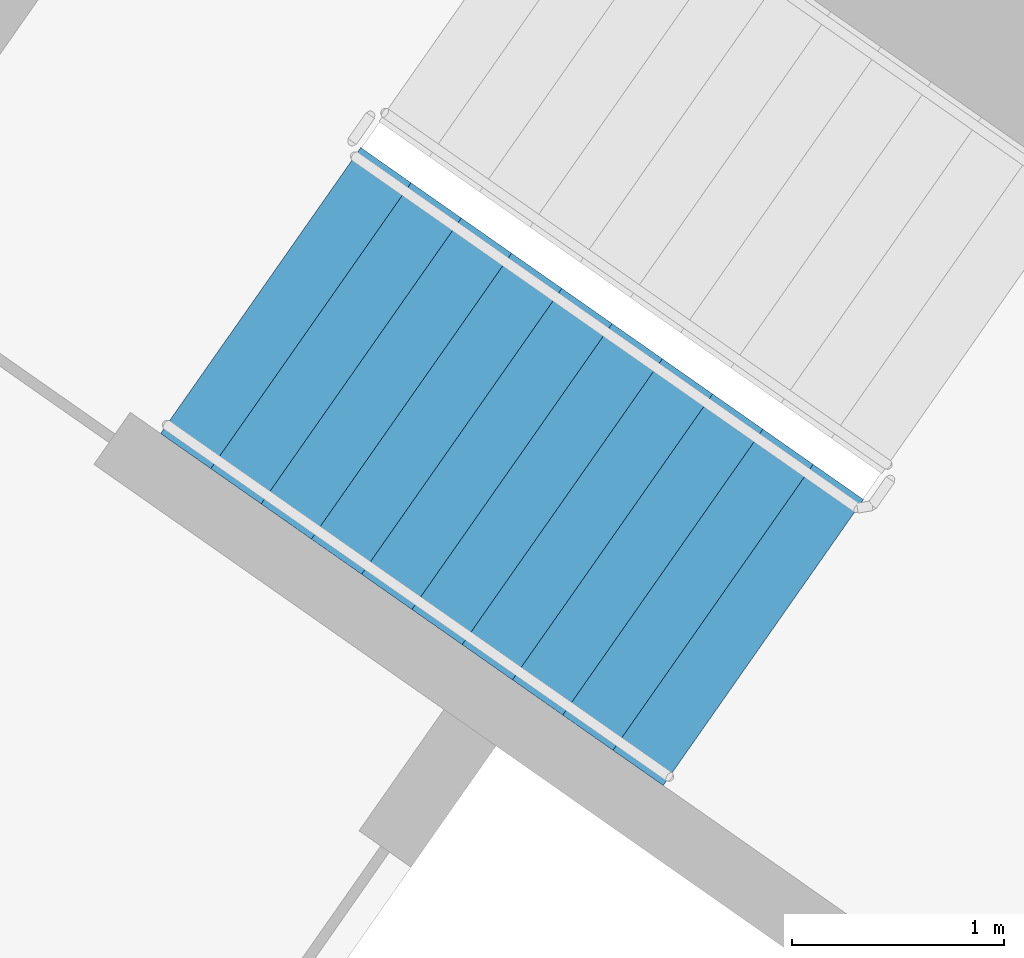
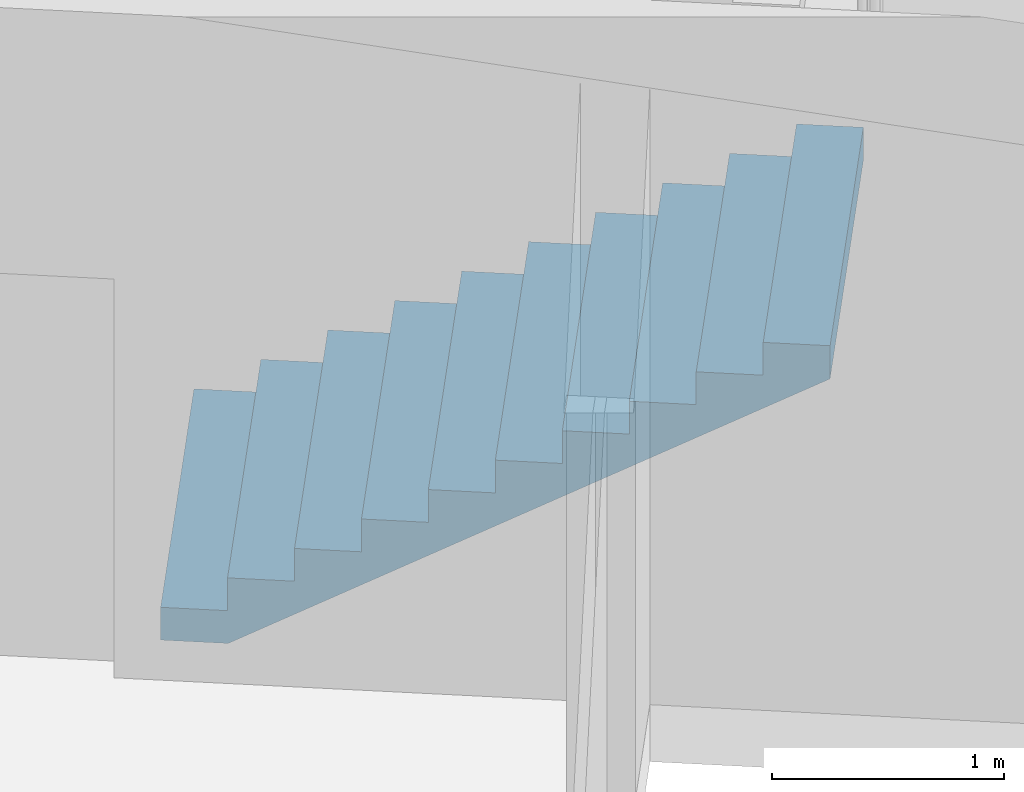
# One storey, part 11 of 28: 1 stair flight, 1 element without a shape of its own.
"""IFC4 building model written with IfcOpenShell, lengths in metres."""

import ifcopenshell
import ifcopenshell.guid

model = None  # the IFC model being written
_history = None  # IfcOwnerHistory: only IFC2X3 demands one
_inside = {}  # id of a spatial element -> (the spatial element, [elements in it])
_under = {}  # id of a project, library or spatial element -> (it, [spatial elements below it])
_declared = {}  # id of a project -> (the project, [libraries it declares])
_typed = {}  # id of a type object -> (the type object, [elements of that type])
_made_of = {}  # id of a material, layer set ... -> (it, [elements and type objects made of it])


def new_model(schema):
    """Start an empty IFC model of exactly this schema.

    Asked for "IFC4X3", IfcOpenShell would pick the latest addendum, in which some entities
    have other attributes; the version numbers below select the first issue.
    IFC2X3 requires an IfcOwnerHistory on every rooted entity: one is made here for all.
    """
    global model, _history
    if schema == "IFC4X3":
        model = ifcopenshell.file(schema_version=(4, 3, 0, 0))
    else:
        model = ifcopenshell.file(schema=schema)
    _inside.clear()
    _under.clear()
    _declared.clear()
    _typed.clear()
    _made_of.clear()
    _history = None
    if model.schema == "IFC2X3":
        org = make("IfcOrganization", Name="unknown")
        user = make(
            "IfcPersonAndOrganization",
            ThePerson=make("IfcPerson", FamilyName="unknown"),
            TheOrganization=org,
        )
        app = make(
            "IfcApplication",
            ApplicationDeveloper=org,
            Version="unknown",
            ApplicationFullName="unknown",
            ApplicationIdentifier="unknown",
        )
        _history = make(
            "IfcOwnerHistory",
            OwningUser=user,
            OwningApplication=app,
            ChangeAction="ADDED",
            CreationDate=0,
        )
    return model


def make(cls, **values):
    """One entity of the class cls with the attributes given. An attribute that is None is left unset."""
    return model.create_entity(
        cls, **{name: value for name, value in values.items() if value is not None}
    )


def rooted(cls, **values):
    """An entity with a GlobalId (a new one), such as an element, a storey or a relation."""
    return make(cls, GlobalId=ifcopenshell.guid.new(), OwnerHistory=_history, **values)


def si_unit(unit_type, name, prefix=None):
    """IfcSIUnit, for example si_unit("LENGTHUNIT", "METRE", prefix="MILLI")."""
    return make("IfcSIUnit", UnitType=unit_type, Prefix=prefix, Name=name)


def assignment(units):
    """IfcUnitAssignment: the units of a project."""
    return None if units is None else make("IfcUnitAssignment", Units=units)


def point(xyz):
    """IfcCartesianPoint."""
    return None if xyz is None else make("IfcCartesianPoint", Coordinates=xyz)


def direction(xyz):
    """IfcDirection."""
    return None if xyz is None else make("IfcDirection", DirectionRatios=xyz)


def frame(location, z_axis=None, x_axis=None):
    """IfcAxis2Placement3D, a coordinate frame: its origin and axes. An axis left out is left unset."""
    return make(
        "IfcAxis2Placement3D",
        Location=point(location),
        Axis=direction(z_axis),
        RefDirection=direction(x_axis),
    )


def origin():
    """The frame at (0, 0, 0) with its axes left unset."""
    return frame((0.0, 0.0, 0.0))


def place(relative_to, where):
    """IfcLocalPlacement: puts the frame where relative to a parent placement (None: the world)."""
    return make(
        "IfcLocalPlacement", PlacementRelTo=relative_to, RelativePlacement=where
    )


def context(
    kind, dimensions, precision=None, world=None, true_north=None, identifier=None
):
    """IfcGeometricRepresentationContext, for example the 3D "Model" context."""
    return make(
        "IfcGeometricRepresentationContext",
        ContextIdentifier=identifier,
        ContextType=kind,
        CoordinateSpaceDimension=dimensions,
        Precision=precision,
        WorldCoordinateSystem=world,
        TrueNorth=true_north,
    )


def subcontext(parent, identifier, kind, view, scale=None):
    """IfcGeometricRepresentationSubContext, for example "Body" below "Model"."""
    return make(
        "IfcGeometricRepresentationSubContext",
        ContextIdentifier=identifier,
        ContextType=kind,
        ParentContext=parent,
        TargetScale=scale,
        TargetView=view,
    )


def project(units=None, contexts=None):
    """IfcProject with its units and contexts."""
    return rooted(
        "IfcProject",
        Name="project",
        RepresentationContexts=contexts,
        UnitsInContext=assignment(units),
    )


def spatial(cls, under=None, at=None, **own):
    """A site, building, storey or space (cls), placed at a placement, below another one or the project."""
    s = rooted(cls, ObjectPlacement=at, **own)
    if under is not None:
        _under.setdefault(under.id(), (under, []))[1].append(s)
    return s


def faces_of(points, faces, orient=None, outer=None):
    """IfcFace entities. A face is a list of loops; a loop is a list of indices into points, from 0.

    orient and outer hold one flag for each loop. By default every Orientation is true, the
    first loop of a face is its IfcFaceOuterBound and the others are IfcFaceBound.
    """
    made = []
    for i, loops in enumerate(faces):
        bounds = []
        for j, loop in enumerate(loops):
            is_outer = j == 0 if outer is None else outer[i][j]
            bounds.append(
                make(
                    "IfcFaceOuterBound" if is_outer else "IfcFaceBound",
                    Bound=make("IfcPolyLoop", Polygon=[points[k] for k in loop]),
                    Orientation=True if orient is None else orient[i][j],
                )
            )
        made.append(make("IfcFace", Bounds=bounds))
    return made


def faceted_brep(points, faces, orient=None, outer=None, voids=None):
    """IfcFacetedBrep: a solid bounded by flat faces; with voids (closed shells), ...WithVoids."""
    shared = [point(p) for p in points]
    hull = make("IfcClosedShell", CfsFaces=faces_of(shared, faces, orient, outer))
    if voids is None:
        return make("IfcFacetedBrep", Outer=hull)
    return make(
        "IfcFacetedBrepWithVoids",
        Outer=hull,
        Voids=[
            make(cls, CfsFaces=faces_of(shared, fs, o, b)) for cls, fs, o, b in voids
        ],
    )


def shape(context_of_items, identifier, shape_type, items):
    """IfcShapeRepresentation: the items that make up one representation, for example the "Body"."""
    return make(
        "IfcShapeRepresentation",
        ContextOfItems=context_of_items,
        RepresentationIdentifier=identifier,
        RepresentationType=shape_type,
        Items=items,
    )


def material(Name=None, Category=None):
    """IfcMaterial."""
    return make("IfcMaterial", Name=Name, Category=Category)


def made_of(thing, what):
    """Note that an element or type object is made of a material, layer set ...; save() writes the relation."""
    if what is not None:
        _made_of.setdefault(what.id(), (what, []))[1].append(thing)
    return thing


def type_object(cls, material=None, **own):
    """A type object (cls), such as IfcWallType, which elements share."""
    return made_of(rooted(cls, **own), material)


def element(
    cls,
    number,
    at=None,
    inside=None,
    cuts=None,
    type_object=None,
    material=None,
    context=None,
    identifier="Body",
    shape_type=None,
    held_by="IfcProductDefinitionShape",
    body=None,
    shapes=None,
    **own,
):
    """One element of the class cls, such as IfcWall. Its Tag is "e" and its number.

    at: its placement. inside: the storey or other place that contains it. cuts: it is an
    opening in that element (IfcRelVoidsElement). A single representation is given by context,
    identifier, shape_type and body (its items); several are given by shapes. held_by: the class
    of the entity that holds the representations. save() writes the other relations.
    """
    e = rooted(cls, Tag="e%d" % number, ObjectPlacement=at, **own)
    if body is not None:
        shapes = [shape(context, identifier, shape_type, body)]
    if shapes is not None:
        e.Representation = make(held_by, Representations=shapes)
    if inside is not None:
        _inside.setdefault(inside.id(), (inside, []))[1].append(e)
    if cuts is not None:
        rooted(
            "IfcRelVoidsElement", RelatingBuildingElement=cuts, RelatedOpeningElement=e
        )
    if type_object is not None:
        _typed.setdefault(type_object.id(), (type_object, []))[1].append(e)
    return made_of(e, material)


def aggregate(whole, parts):
    """IfcRelAggregates: a whole, such as a stair, and the parts it consists of."""
    return rooted("IfcRelAggregates", RelatingObject=whole, RelatedObjects=parts)


def save(model, path):
    """Write the relations noted so far, then the file.

    IfcRelAggregates (storeys below a building ...), IfcRelContainedInSpatialStructure (elements
    in a storey), IfcRelDefinesByType, IfcRelAssociatesMaterial and IfcRelDeclares: one each for
    every whole, place, type object, material and project.
    """
    for whole, parts in _under.values():
        aggregate(whole, parts)
    for where, things in _inside.values():
        rooted(
            "IfcRelContainedInSpatialStructure",
            RelatedElements=things,
            RelatingStructure=where,
        )
    for kind, things in _typed.values():
        rooted("IfcRelDefinesByType", RelatedObjects=things, RelatingType=kind)
    for what, things in _made_of.values():
        rooted("IfcRelAssociatesMaterial", RelatedObjects=things, RelatingMaterial=what)
    for by, libraries in _declared.values():
        rooted("IfcRelDeclares", RelatingContext=by, RelatedDefinitions=libraries)
    model.write(path)


model = new_model("IFC4")

# Units and contexts
model_context = context("Model", 3, precision=1e-05, world=origin(), true_north=direction((0.0, 1.0)))
body_context = subcontext(model_context, "Body", "Model", "MODEL_VIEW")
ifc_project = project(units=[si_unit("LENGTHUNIT", "METRE"), si_unit("AREAUNIT", "SQUARE_METRE"), si_unit("VOLUMEUNIT", "CUBIC_METRE"), si_unit("PLANEANGLEUNIT", "RADIAN"), si_unit("MASSUNIT", "GRAM", prefix="KILO")], contexts=[model_context])

# Site, building, storey
site_placement = place(None, origin())
site = spatial("IfcSite", under=ifc_project, at=site_placement, CompositionType="ELEMENT")
building_placement = place(site_placement, origin())
building = spatial("IfcBuilding", under=site, at=building_placement, Name="Qamariyya Broadcast Tower", CompositionType="ELEMENT")
storey_placement = place(building_placement, frame((0.0, 0.0, 241.699951171875)))
storey = spatial("IfcBuildingStorey", under=building, at=storey_placement, Name="L58", CompositionType="ELEMENT", Elevation=241.699951171875)

# Stair, stair flight
ifc_material = material(Name="Concrete C50/60", Category="concrete")
stair_type = type_object("IfcStairType", Name="Exit stair 22 risers of 173 mm", PredefinedType="HALF_TURN_STAIR", material=ifc_material)
stair_placement = place(storey_placement, origin())
stair = element("IfcStair", 1, at=stair_placement, inside=storey, type_object=stair_type, Name="L58 Stair W2", PredefinedType="HALF_TURN_STAIR")
stair_flight_type = type_object("IfcStairFlightType", Name="Exit stair flight 11 risers of 173 mm", PredefinedType="STRAIGHT", material=ifc_material)
stair_flight_placement = place(storey_placement, frame((-41.59130859375, -49.15966796875, 0.0), z_axis=(0.0, 0.0, 1.0), x_axis=(0.819152044289, -0.573576436351, 0.0)))
stair_flight = element("IfcStairFlight", 2, at=stair_flight_placement, type_object=stair_flight_type, Name="ST-W2 flight 1", NumberOfRisers=11, NumberOfTreads=10, PredefinedType="STRAIGHT", RiserHeight=0.172727273, TreadLength=0.29, context=body_context, shape_type="Brep", body=[
    faceted_brep([(0.0, 0.824951171875, 0.0), (0.0, 0.824951171875, 0.172607421875), (0.2900390625, 0.824951171875, 0.172607421875), (0.2900390625, 0.824951171875, 0.345458984375), (0.580078125, 0.824951171875, 0.345458984375), (0.580078125, 0.824951171875, 0.51806640625), (0.8701171875, 0.824951171875, 0.51806640625), (0.8701171875, 0.824951171875, 0.69091796875), (1.159912109375, 0.824951171875, 0.69091796875), (1.159912109375, 0.824951171875, 0.863525390625), (1.449951171875, 0.824951171875, 0.863525390625), (1.449951171875, 0.824951171875, 1.036376953125), (1.739990234375, 0.824951171875, 1.036376953125), (1.739990234375, 0.824951171875, 1.208984375), (2.030029296875, 0.824951171875, 1.208984375), (2.030029296875, 0.824951171875, 1.3818359375), (2.320068359375, 0.824951171875, 1.3818359375), (2.320068359375, 0.824951171875, 1.554443359375), (2.610107421875, 0.824951171875, 1.554443359375), (2.610107421875, 0.824951171875, 1.727294921875), (2.89990234375, 0.824951171875, 1.727294921875), (2.89990234375, 0.824951171875, 1.552734375), (0.29296875, 0.824951171875, 0.0), (0.29296875, -0.824951171875, 0.0), (2.89990234375, -0.824951171875, 1.552734375), (2.89990234375, -0.824951171875, 1.727294921875), (2.610107421875, -0.824951171875, 1.727294921875), (2.610107421875, -0.824951171875, 1.554443359375), (2.320068359375, -0.824951171875, 1.554443359375), (2.320068359375, -0.824951171875, 1.3818359375), (2.030029296875, -0.824951171875, 1.3818359375), (2.030029296875, -0.824951171875, 1.208984375), (1.739990234375, -0.824951171875, 1.208984375), (1.739990234375, -0.824951171875, 1.036376953125), (1.449951171875, -0.824951171875, 1.036376953125), (1.449951171875, -0.824951171875, 0.863525390625), (1.159912109375, -0.824951171875, 0.863525390625), (1.159912109375, -0.824951171875, 0.69091796875), (0.8701171875, -0.824951171875, 0.69091796875), (0.8701171875, -0.824951171875, 0.51806640625), (0.580078125, -0.824951171875, 0.51806640625), (0.580078125, -0.824951171875, 0.345458984375), (0.2900390625, -0.824951171875, 0.345458984375), (0.2900390625, -0.824951171875, 0.172607421875), (0.0, -0.824951171875, 0.172607421875), (0.0, -0.824951171875, 0.0), (0.0, 0.10009765625, 0.0), (0.0, 0.086669921875, 0.0), (0.0, 0.0732421875, 0.0), (0.0, 0.06005859375, 0.0), (0.0, 0.046630859375, 0.0), (0.0, 0.033447265625, 0.0), (0.0, 0.02001953125, 0.0), (0.0, 0.006591796875, 0.0), (0.0, -0.006591796875, 0.0), (0.0, -0.02001953125, 0.0), (0.0, -0.033447265625, 0.0), (0.0, -0.046630859375, 0.0), (0.0, -0.06005859375, 0.0), (0.0, -0.0732421875, 0.0), (0.0, -0.086669921875, 0.0), (0.0, -0.10009765625, 0.0), (0.0, -0.10009765625, 0.172607421875), (0.0, -0.086669921875, 0.172607421875), (0.0, -0.0732421875, 0.172607421875), (0.0, -0.06005859375, 0.172607421875), (0.0, -0.046630859375, 0.172607421875), (0.0, -0.033447265625, 0.172607421875), (0.0, -0.02001953125, 0.172607421875), (0.0, -0.006591796875, 0.172607421875), (0.0, 0.006591796875, 0.172607421875), (0.0, 0.02001953125, 0.172607421875), (0.0, 0.033447265625, 0.172607421875), (0.0, 0.046630859375, 0.172607421875), (0.0, 0.06005859375, 0.172607421875), (0.0, 0.0732421875, 0.172607421875), (0.0, 0.086669921875, 0.172607421875), (0.0, 0.10009765625, 0.172607421875), (0.2900390625, -0.10009765625, 0.172607421875), (0.2900390625, -0.086669921875, 0.172607421875), (0.2900390625, -0.0732421875, 0.172607421875), (0.2900390625, -0.06005859375, 0.172607421875), (0.2900390625, -0.046630859375, 0.172607421875), (0.2900390625, -0.033447265625, 0.172607421875), (0.2900390625, -0.02001953125, 0.172607421875), (0.2900390625, -0.006591796875, 0.172607421875), (0.2900390625, 0.006591796875, 0.172607421875), (0.2900390625, 0.02001953125, 0.172607421875), (0.2900390625, 0.033447265625, 0.172607421875), (0.2900390625, 0.046630859375, 0.172607421875), (0.2900390625, 0.06005859375, 0.172607421875), (0.2900390625, 0.0732421875, 0.172607421875), (0.2900390625, 0.086669921875, 0.172607421875), (0.2900390625, 0.10009765625, 0.172607421875), (0.2900390625, -0.10009765625, 0.345458984375), (0.2900390625, -0.086669921875, 0.345458984375), (0.2900390625, -0.0732421875, 0.345458984375), (0.2900390625, -0.06005859375, 0.345458984375), (0.2900390625, -0.046630859375, 0.345458984375), (0.2900390625, -0.033447265625, 0.345458984375), (0.2900390625, -0.02001953125, 0.345458984375), (0.2900390625, -0.006591796875, 0.345458984375), (0.2900390625, 0.006591796875, 0.345458984375), (0.2900390625, 0.02001953125, 0.345458984375), (0.2900390625, 0.033447265625, 0.345458984375), (0.2900390625, 0.046630859375, 0.345458984375), (0.2900390625, 0.06005859375, 0.345458984375), (0.2900390625, 0.0732421875, 0.345458984375), (0.2900390625, 0.086669921875, 0.345458984375), (0.2900390625, 0.10009765625, 0.345458984375), (0.580078125, -0.10009765625, 0.345458984375), (0.580078125, -0.086669921875, 0.345458984375), (0.580078125, -0.0732421875, 0.345458984375), (0.580078125, -0.06005859375, 0.345458984375), (0.580078125, -0.046630859375, 0.345458984375), (0.580078125, -0.033447265625, 0.345458984375), (0.580078125, -0.02001953125, 0.345458984375), (0.580078125, -0.006591796875, 0.345458984375), (0.580078125, 0.006591796875, 0.345458984375), (0.580078125, 0.02001953125, 0.345458984375), (0.580078125, 0.033447265625, 0.345458984375), (0.580078125, 0.046630859375, 0.345458984375), (0.580078125, 0.06005859375, 0.345458984375), (0.580078125, 0.0732421875, 0.345458984375), (0.580078125, 0.086669921875, 0.345458984375), (0.580078125, 0.10009765625, 0.345458984375), (0.580078125, -0.10009765625, 0.51806640625), (0.580078125, -0.086669921875, 0.51806640625), (0.580078125, -0.0732421875, 0.51806640625), (0.580078125, -0.06005859375, 0.51806640625), (0.580078125, -0.046630859375, 0.51806640625), (0.580078125, -0.033447265625, 0.51806640625), (0.580078125, -0.02001953125, 0.51806640625), (0.580078125, -0.006591796875, 0.51806640625), (0.580078125, 0.006591796875, 0.51806640625), (0.580078125, 0.02001953125, 0.51806640625), (0.580078125, 0.033447265625, 0.51806640625), (0.580078125, 0.046630859375, 0.51806640625), (0.580078125, 0.06005859375, 0.51806640625), (0.580078125, 0.0732421875, 0.51806640625), (0.580078125, 0.086669921875, 0.51806640625), (0.580078125, 0.10009765625, 0.51806640625), (0.8701171875, -0.10009765625, 0.51806640625), (0.8701171875, -0.086669921875, 0.51806640625), (0.8701171875, -0.0732421875, 0.51806640625), (0.8701171875, -0.06005859375, 0.51806640625), (0.8701171875, -0.046630859375, 0.51806640625), (0.8701171875, -0.033447265625, 0.51806640625), (0.8701171875, -0.02001953125, 0.51806640625), (0.8701171875, -0.006591796875, 0.51806640625), (0.8701171875, 0.006591796875, 0.51806640625), (0.8701171875, 0.02001953125, 0.51806640625), (0.8701171875, 0.033447265625, 0.51806640625), (0.8701171875, 0.046630859375, 0.51806640625), (0.8701171875, 0.06005859375, 0.51806640625), (0.8701171875, 0.0732421875, 0.51806640625), (0.8701171875, 0.086669921875, 0.51806640625), (0.8701171875, 0.10009765625, 0.51806640625), (0.8701171875, -0.10009765625, 0.69091796875), (0.8701171875, -0.086669921875, 0.69091796875), (0.8701171875, -0.0732421875, 0.69091796875), (0.8701171875, -0.06005859375, 0.69091796875), (0.8701171875, -0.046630859375, 0.69091796875), (0.8701171875, -0.033447265625, 0.69091796875), (0.8701171875, -0.02001953125, 0.69091796875), (0.8701171875, -0.006591796875, 0.69091796875), (0.8701171875, 0.006591796875, 0.69091796875), (0.8701171875, 0.02001953125, 0.69091796875), (0.8701171875, 0.033447265625, 0.69091796875), (0.8701171875, 0.046630859375, 0.69091796875), (0.8701171875, 0.06005859375, 0.69091796875), (0.8701171875, 0.0732421875, 0.69091796875), (0.8701171875, 0.086669921875, 0.69091796875), (0.8701171875, 0.10009765625, 0.69091796875), (1.159912109375, -0.10009765625, 0.69091796875), (1.159912109375, -0.086669921875, 0.69091796875), (1.159912109375, -0.0732421875, 0.69091796875), (1.159912109375, -0.06005859375, 0.69091796875), (1.159912109375, -0.046630859375, 0.69091796875), (1.159912109375, -0.033447265625, 0.69091796875), (1.159912109375, -0.02001953125, 0.69091796875), (1.159912109375, -0.006591796875, 0.69091796875), (1.159912109375, 0.006591796875, 0.69091796875), (1.159912109375, 0.02001953125, 0.69091796875), (1.159912109375, 0.033447265625, 0.69091796875), (1.159912109375, 0.046630859375, 0.69091796875), (1.159912109375, 0.06005859375, 0.69091796875), (1.159912109375, 0.0732421875, 0.69091796875), (1.159912109375, 0.086669921875, 0.69091796875), (1.159912109375, 0.10009765625, 0.69091796875), (1.159912109375, -0.10009765625, 0.863525390625), (1.159912109375, -0.086669921875, 0.863525390625), (1.159912109375, -0.0732421875, 0.863525390625), (1.159912109375, -0.06005859375, 0.863525390625), (1.159912109375, -0.046630859375, 0.863525390625), (1.159912109375, -0.033447265625, 0.863525390625), (1.159912109375, -0.02001953125, 0.863525390625), (1.159912109375, -0.006591796875, 0.863525390625), (1.159912109375, 0.006591796875, 0.863525390625), (1.159912109375, 0.02001953125, 0.863525390625), (1.159912109375, 0.033447265625, 0.863525390625), (1.159912109375, 0.046630859375, 0.863525390625), (1.159912109375, 0.06005859375, 0.863525390625), (1.159912109375, 0.0732421875, 0.863525390625), (1.159912109375, 0.086669921875, 0.863525390625), (1.159912109375, 0.10009765625, 0.863525390625), (1.449951171875, -0.10009765625, 0.863525390625), (1.449951171875, -0.086669921875, 0.863525390625), (1.449951171875, -0.0732421875, 0.863525390625), (1.449951171875, -0.06005859375, 0.863525390625), (1.449951171875, -0.046630859375, 0.863525390625), (1.449951171875, -0.033447265625, 0.863525390625), (1.449951171875, -0.02001953125, 0.863525390625), (1.449951171875, -0.006591796875, 0.863525390625), (1.449951171875, 0.006591796875, 0.863525390625), (1.449951171875, 0.02001953125, 0.863525390625), (1.449951171875, 0.033447265625, 0.863525390625), (1.449951171875, 0.046630859375, 0.863525390625), (1.449951171875, 0.06005859375, 0.863525390625), (1.449951171875, 0.0732421875, 0.863525390625), (1.449951171875, 0.086669921875, 0.863525390625), (1.449951171875, 0.10009765625, 0.863525390625), (1.449951171875, -0.10009765625, 1.036376953125), (1.449951171875, -0.086669921875, 1.036376953125), (1.449951171875, -0.0732421875, 1.036376953125), (1.449951171875, -0.06005859375, 1.036376953125), (1.449951171875, -0.046630859375, 1.036376953125), (1.449951171875, -0.033447265625, 1.036376953125), (1.449951171875, -0.02001953125, 1.036376953125), (1.449951171875, -0.006591796875, 1.036376953125), (1.449951171875, 0.006591796875, 1.036376953125), (1.449951171875, 0.02001953125, 1.036376953125), (1.449951171875, 0.033447265625, 1.036376953125), (1.449951171875, 0.046630859375, 1.036376953125), (1.449951171875, 0.06005859375, 1.036376953125), (1.449951171875, 0.0732421875, 1.036376953125), (1.449951171875, 0.086669921875, 1.036376953125), (1.449951171875, 0.10009765625, 1.036376953125), (1.739990234375, -0.10009765625, 1.036376953125), (1.739990234375, -0.086669921875, 1.036376953125), (1.739990234375, -0.0732421875, 1.036376953125), (1.739990234375, -0.06005859375, 1.036376953125), (1.739990234375, -0.046630859375, 1.036376953125), (1.739990234375, -0.033447265625, 1.036376953125), (1.739990234375, -0.02001953125, 1.036376953125), (1.739990234375, -0.006591796875, 1.036376953125), (1.739990234375, 0.006591796875, 1.036376953125), (1.739990234375, 0.02001953125, 1.036376953125), (1.739990234375, 0.033447265625, 1.036376953125), (1.739990234375, 0.046630859375, 1.036376953125), (1.739990234375, 0.06005859375, 1.036376953125), (1.739990234375, 0.0732421875, 1.036376953125), (1.739990234375, 0.086669921875, 1.036376953125), (1.739990234375, 0.10009765625, 1.036376953125), (1.739990234375, -0.10009765625, 1.208984375), (1.739990234375, -0.086669921875, 1.208984375), (1.739990234375, -0.0732421875, 1.208984375), (1.739990234375, -0.06005859375, 1.208984375), (1.739990234375, -0.046630859375, 1.208984375), (1.739990234375, -0.033447265625, 1.208984375), (1.739990234375, -0.02001953125, 1.208984375), (1.739990234375, -0.006591796875, 1.208984375), (1.739990234375, 0.006591796875, 1.208984375), (1.739990234375, 0.02001953125, 1.208984375), (1.739990234375, 0.033447265625, 1.208984375), (1.739990234375, 0.046630859375, 1.208984375), (1.739990234375, 0.06005859375, 1.208984375), (1.739990234375, 0.0732421875, 1.208984375), (1.739990234375, 0.086669921875, 1.208984375), (1.739990234375, 0.10009765625, 1.208984375), (2.030029296875, -0.10009765625, 1.208984375), (2.030029296875, -0.086669921875, 1.208984375), (2.030029296875, -0.0732421875, 1.208984375), (2.030029296875, -0.06005859375, 1.208984375), (2.030029296875, -0.046630859375, 1.208984375), (2.030029296875, -0.033447265625, 1.208984375), (2.030029296875, -0.02001953125, 1.208984375), (2.030029296875, -0.006591796875, 1.208984375), (2.030029296875, 0.006591796875, 1.208984375), (2.030029296875, 0.02001953125, 1.208984375), (2.030029296875, 0.033447265625, 1.208984375), (2.030029296875, 0.046630859375, 1.208984375), (2.030029296875, 0.06005859375, 1.208984375), (2.030029296875, 0.0732421875, 1.208984375), (2.030029296875, 0.086669921875, 1.208984375), (2.030029296875, 0.10009765625, 1.208984375), (2.030029296875, -0.10009765625, 1.3818359375), (2.030029296875, -0.086669921875, 1.3818359375), (2.030029296875, -0.0732421875, 1.3818359375), (2.030029296875, -0.06005859375, 1.3818359375), (2.030029296875, -0.046630859375, 1.3818359375), (2.030029296875, -0.033447265625, 1.3818359375), (2.030029296875, -0.02001953125, 1.3818359375), (2.030029296875, -0.006591796875, 1.3818359375), (2.030029296875, 0.006591796875, 1.3818359375), (2.030029296875, 0.02001953125, 1.3818359375), (2.030029296875, 0.033447265625, 1.3818359375), (2.030029296875, 0.046630859375, 1.3818359375), (2.030029296875, 0.06005859375, 1.3818359375), (2.030029296875, 0.0732421875, 1.3818359375), (2.030029296875, 0.086669921875, 1.3818359375), (2.030029296875, 0.10009765625, 1.3818359375), (2.320068359375, -0.10009765625, 1.3818359375), (2.320068359375, -0.086669921875, 1.3818359375), (2.320068359375, -0.0732421875, 1.3818359375), (2.320068359375, -0.06005859375, 1.3818359375), (2.320068359375, -0.046630859375, 1.3818359375), (2.320068359375, -0.033447265625, 1.3818359375), (2.320068359375, -0.02001953125, 1.3818359375), (2.320068359375, -0.006591796875, 1.3818359375), (2.320068359375, 0.006591796875, 1.3818359375), (2.320068359375, 0.02001953125, 1.3818359375), (2.320068359375, 0.033447265625, 1.3818359375), (2.320068359375, 0.046630859375, 1.3818359375), (2.320068359375, 0.06005859375, 1.3818359375), (2.320068359375, 0.0732421875, 1.3818359375), (2.320068359375, 0.086669921875, 1.3818359375), (2.320068359375, 0.10009765625, 1.3818359375), (2.320068359375, -0.10009765625, 1.554443359375), (2.320068359375, -0.086669921875, 1.554443359375), (2.320068359375, -0.0732421875, 1.554443359375), (2.320068359375, -0.06005859375, 1.554443359375), (2.320068359375, -0.046630859375, 1.554443359375), (2.320068359375, -0.033447265625, 1.554443359375), (2.320068359375, -0.02001953125, 1.554443359375), (2.320068359375, -0.006591796875, 1.554443359375), (2.320068359375, 0.006591796875, 1.554443359375), (2.320068359375, 0.02001953125, 1.554443359375), (2.320068359375, 0.033447265625, 1.554443359375), (2.320068359375, 0.046630859375, 1.554443359375), (2.320068359375, 0.06005859375, 1.554443359375), (2.320068359375, 0.0732421875, 1.554443359375), (2.320068359375, 0.086669921875, 1.554443359375), (2.320068359375, 0.10009765625, 1.554443359375), (2.610107421875, -0.10009765625, 1.554443359375), (2.610107421875, -0.086669921875, 1.554443359375), (2.610107421875, -0.0732421875, 1.554443359375), (2.610107421875, -0.06005859375, 1.554443359375), (2.610107421875, -0.046630859375, 1.554443359375), (2.610107421875, -0.033447265625, 1.554443359375), (2.610107421875, -0.02001953125, 1.554443359375), (2.610107421875, -0.006591796875, 1.554443359375), (2.610107421875, 0.006591796875, 1.554443359375), (2.610107421875, 0.02001953125, 1.554443359375), (2.610107421875, 0.033447265625, 1.554443359375), (2.610107421875, 0.046630859375, 1.554443359375), (2.610107421875, 0.06005859375, 1.554443359375), (2.610107421875, 0.0732421875, 1.554443359375), (2.610107421875, 0.086669921875, 1.554443359375), (2.610107421875, 0.10009765625, 1.554443359375), (2.610107421875, -0.10009765625, 1.727294921875), (2.610107421875, -0.086669921875, 1.727294921875), (2.610107421875, -0.0732421875, 1.727294921875), (2.610107421875, -0.06005859375, 1.727294921875), (2.610107421875, -0.046630859375, 1.727294921875), (2.610107421875, -0.033447265625, 1.727294921875), (2.610107421875, -0.02001953125, 1.727294921875), (2.610107421875, -0.006591796875, 1.727294921875), (2.610107421875, 0.006591796875, 1.727294921875), (2.610107421875, 0.02001953125, 1.727294921875), (2.610107421875, 0.033447265625, 1.727294921875), (2.610107421875, 0.046630859375, 1.727294921875), (2.610107421875, 0.06005859375, 1.727294921875), (2.610107421875, 0.0732421875, 1.727294921875), (2.610107421875, 0.086669921875, 1.727294921875), (2.610107421875, 0.10009765625, 1.727294921875), (2.89990234375, -0.10009765625, 1.727294921875), (2.89990234375, -0.086669921875, 1.727294921875), (2.89990234375, -0.0732421875, 1.727294921875), (2.89990234375, -0.06005859375, 1.727294921875), (2.89990234375, -0.046630859375, 1.727294921875), (2.89990234375, -0.033447265625, 1.727294921875), (2.89990234375, -0.02001953125, 1.727294921875), (2.89990234375, -0.006591796875, 1.727294921875), (2.89990234375, 0.006591796875, 1.727294921875), (2.89990234375, 0.02001953125, 1.727294921875), (2.89990234375, 0.033447265625, 1.727294921875), (2.89990234375, 0.046630859375, 1.727294921875), (2.89990234375, 0.06005859375, 1.727294921875), (2.89990234375, 0.0732421875, 1.727294921875), (2.89990234375, 0.086669921875, 1.727294921875), (2.89990234375, 0.10009765625, 1.727294921875), (2.89990234375, -0.10009765625, 1.552734375), (2.89990234375, -0.086669921875, 1.552734375), (2.89990234375, -0.0732421875, 1.552734375), (2.89990234375, -0.06005859375, 1.552734375), (2.89990234375, -0.046630859375, 1.552734375), (2.89990234375, -0.033447265625, 1.552734375), (2.89990234375, -0.02001953125, 1.552734375), (2.89990234375, -0.006591796875, 1.552734375), (2.89990234375, 0.006591796875, 1.552734375), (2.89990234375, 0.02001953125, 1.552734375), (2.89990234375, 0.033447265625, 1.552734375), (2.89990234375, 0.046630859375, 1.552734375), (2.89990234375, 0.06005859375, 1.552734375), (2.89990234375, 0.0732421875, 1.552734375), (2.89990234375, 0.086669921875, 1.552734375), (2.89990234375, 0.10009765625, 1.552734375), (0.29296875, -0.10009765625, 0.0), (0.29296875, -0.086669921875, 0.0), (0.29296875, -0.0732421875, 0.0), (0.29296875, -0.06005859375, 0.0), (0.29296875, -0.046630859375, 0.0), (0.29296875, -0.033447265625, 0.0), (0.29296875, -0.02001953125, 0.0), (0.29296875, -0.006591796875, 0.0), (0.29296875, 0.006591796875, 0.0), (0.29296875, 0.02001953125, 0.0), (0.29296875, 0.033447265625, 0.0), (0.29296875, 0.046630859375, 0.0), (0.29296875, 0.06005859375, 0.0), (0.29296875, 0.0732421875, 0.0), (0.29296875, 0.086669921875, 0.0), (0.29296875, 0.10009765625, 0.0)], [[[0, 1, 2, 3, 4, 5, 6, 7, 8, 9, 10, 11, 12, 13, 14, 15, 16, 17, 18, 19, 20, 21, 22]], [[23, 24, 25, 26, 27, 28, 29, 30, 31, 32, 33, 34, 35, 36, 37, 38, 39, 40, 41, 42, 43, 44, 45]], [[0, 46, 47, 48, 49, 50, 51, 52, 53, 54, 55, 56, 57, 58, 59, 60, 61, 45, 44, 62, 63, 64, 65, 66, 67, 68, 69, 70, 71, 72, 73, 74, 75, 76, 77, 1]], [[1, 77, 76, 75, 74, 73, 72, 71, 70, 69, 68, 67, 66, 65, 64, 63, 62, 44, 43, 78, 79, 80, 81, 82, 83, 84, 85, 86, 87, 88, 89, 90, 91, 92, 93, 2]], [[2, 93, 92, 91, 90, 89, 88, 87, 86, 85, 84, 83, 82, 81, 80, 79, 78, 43, 42, 94, 95, 96, 97, 98, 99, 100, 101, 102, 103, 104, 105, 106, 107, 108, 109, 3]], [[3, 109, 108, 107, 106, 105, 104, 103, 102, 101, 100, 99, 98, 97, 96, 95, 94, 42, 41, 110, 111, 112, 113, 114, 115, 116, 117, 118, 119, 120, 121, 122, 123, 124, 125, 4]], [[4, 125, 124, 123, 122, 121, 120, 119, 118, 117, 116, 115, 114, 113, 112, 111, 110, 41, 40, 126, 127, 128, 129, 130, 131, 132, 133, 134, 135, 136, 137, 138, 139, 140, 141, 5]], [[5, 141, 140, 139, 138, 137, 136, 135, 134, 133, 132, 131, 130, 129, 128, 127, 126, 40, 39, 142, 143, 144, 145, 146, 147, 148, 149, 150, 151, 152, 153, 154, 155, 156, 157, 6]], [[6, 157, 156, 155, 154, 153, 152, 151, 150, 149, 148, 147, 146, 145, 144, 143, 142, 39, 38, 158, 159, 160, 161, 162, 163, 164, 165, 166, 167, 168, 169, 170, 171, 172, 173, 7]], [[7, 173, 172, 171, 170, 169, 168, 167, 166, 165, 164, 163, 162, 161, 160, 159, 158, 38, 37, 174, 175, 176, 177, 178, 179, 180, 181, 182, 183, 184, 185, 186, 187, 188, 189, 8]], [[8, 189, 188, 187, 186, 185, 184, 183, 182, 181, 180, 179, 178, 177, 176, 175, 174, 37, 36, 190, 191, 192, 193, 194, 195, 196, 197, 198, 199, 200, 201, 202, 203, 204, 205, 9]], [[9, 205, 204, 203, 202, 201, 200, 199, 198, 197, 196, 195, 194, 193, 192, 191, 190, 36, 35, 206, 207, 208, 209, 210, 211, 212, 213, 214, 215, 216, 217, 218, 219, 220, 221, 10]], [[10, 221, 220, 219, 218, 217, 216, 215, 214, 213, 212, 211, 210, 209, 208, 207, 206, 35, 34, 222, 223, 224, 225, 226, 227, 228, 229, 230, 231, 232, 233, 234, 235, 236, 237, 11]], [[11, 237, 236, 235, 234, 233, 232, 231, 230, 229, 228, 227, 226, 225, 224, 223, 222, 34, 33, 238, 239, 240, 241, 242, 243, 244, 245, 246, 247, 248, 249, 250, 251, 252, 253, 12]], [[12, 253, 252, 251, 250, 249, 248, 247, 246, 245, 244, 243, 242, 241, 240, 239, 238, 33, 32, 254, 255, 256, 257, 258, 259, 260, 261, 262, 263, 264, 265, 266, 267, 268, 269, 13]], [[13, 269, 268, 267, 266, 265, 264, 263, 262, 261, 260, 259, 258, 257, 256, 255, 254, 32, 31, 270, 271, 272, 273, 274, 275, 276, 277, 278, 279, 280, 281, 282, 283, 284, 285, 14]], [[14, 285, 284, 283, 282, 281, 280, 279, 278, 277, 276, 275, 274, 273, 272, 271, 270, 31, 30, 286, 287, 288, 289, 290, 291, 292, 293, 294, 295, 296, 297, 298, 299, 300, 301, 15]], [[15, 301, 300, 299, 298, 297, 296, 295, 294, 293, 292, 291, 290, 289, 288, 287, 286, 30, 29, 302, 303, 304, 305, 306, 307, 308, 309, 310, 311, 312, 313, 314, 315, 316, 317, 16]], [[16, 317, 316, 315, 314, 313, 312, 311, 310, 309, 308, 307, 306, 305, 304, 303, 302, 29, 28, 318, 319, 320, 321, 322, 323, 324, 325, 326, 327, 328, 329, 330, 331, 332, 333, 17]], [[17, 333, 332, 331, 330, 329, 328, 327, 326, 325, 324, 323, 322, 321, 320, 319, 318, 28, 27, 334, 335, 336, 337, 338, 339, 340, 341, 342, 343, 344, 345, 346, 347, 348, 349, 18]], [[18, 349, 348, 347, 346, 345, 344, 343, 342, 341, 340, 339, 338, 337, 336, 335, 334, 27, 26, 350, 351, 352, 353, 354, 355, 356, 357, 358, 359, 360, 361, 362, 363, 364, 365, 19]], [[19, 365, 364, 363, 362, 361, 360, 359, 358, 357, 356, 355, 354, 353, 352, 351, 350, 26, 25, 366, 367, 368, 369, 370, 371, 372, 373, 374, 375, 376, 377, 378, 379, 380, 381, 20]], [[20, 381, 380, 379, 378, 377, 376, 375, 374, 373, 372, 371, 370, 369, 368, 367, 366, 25, 24, 382, 383, 384, 385, 386, 387, 388, 389, 390, 391, 392, 393, 394, 395, 396, 397, 21]], [[21, 397, 396, 395, 394, 393, 392, 391, 390, 389, 388, 387, 386, 385, 384, 383, 382, 24, 23, 398, 399, 400, 401, 402, 403, 404, 405, 406, 407, 408, 409, 410, 411, 412, 413, 22]], [[22, 413, 412, 411, 410, 409, 408, 407, 406, 405, 404, 403, 402, 401, 400, 399, 398, 23, 45, 61, 60, 59, 58, 57, 56, 55, 54, 53, 52, 51, 50, 49, 48, 47, 46, 0]]]),
])
aggregate(stair, [stair_flight])

save(model, "model.ifc")
